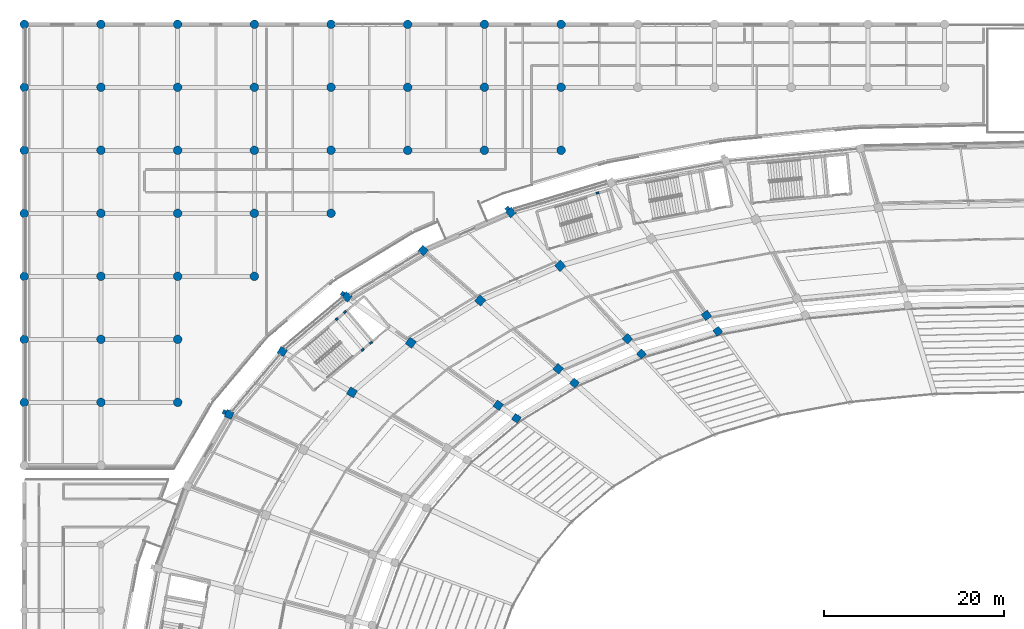
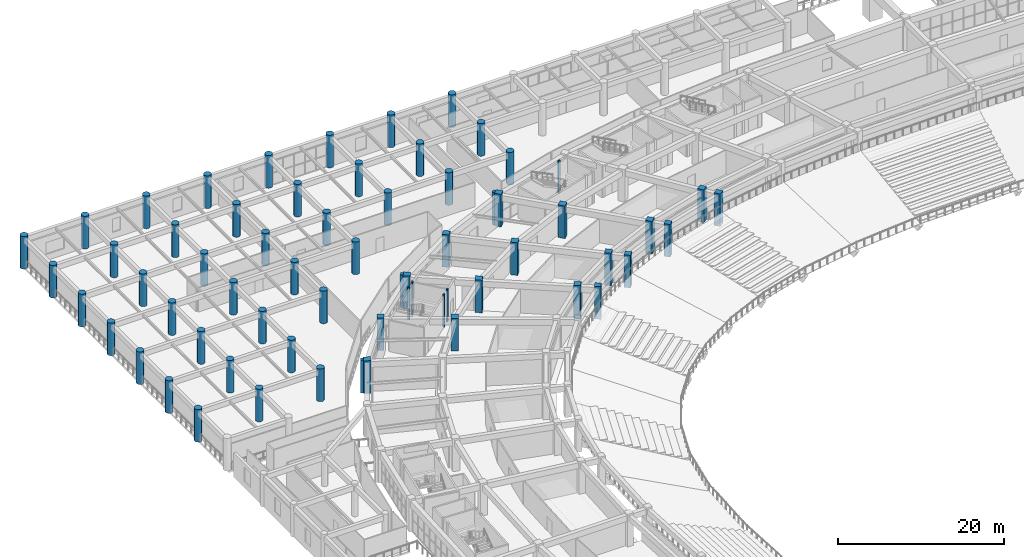
# One storey, part 7 of 152: 64 columns.
"""IFC4 building model written with IfcOpenShell, lengths in metres."""

from ifc_helpers import new_model, si_unit, direction, frame, origin, origin_2d, place, context, subcontext, project, spatial, rectangle, circle, extrude, material, material_profile, profile_set, type_object, element, save


model = new_model("IFC4")

# Units and contexts
model_context = context("Model", 3, precision=1e-05, world=origin(), true_north=direction((0.0, 1.0)))
body_context = subcontext(model_context, "Body", "Model", "MODEL_VIEW")
ifc_project = project(units=[si_unit("LENGTHUNIT", "METRE"), si_unit("AREAUNIT", "SQUARE_METRE"), si_unit("VOLUMEUNIT", "CUBIC_METRE"), si_unit("PLANEANGLEUNIT", "RADIAN"), si_unit("MASSUNIT", "GRAM", prefix="KILO")], contexts=[model_context])

# Site, building, storey
site_placement = place(None, origin())
site = spatial("IfcSite", under=ifc_project, at=site_placement, CompositionType="ELEMENT")
building_placement = place(site_placement, origin())
building = spatial("IfcBuilding", under=site, at=building_placement, Name="Mphavela Belvedere Stadium", CompositionType="ELEMENT")
storey_placement = place(building_placement, frame((0.0, 0.0, 5.39990234375)))
storey = spatial("IfcBuildingStorey", under=building, at=storey_placement, Name="L01", CompositionType="ELEMENT", Elevation=5.39990234375)

# Columns
ifc_material_1 = material(Name="Concrete C40/50", Category="concrete")
ifc_material_profile_1 = material_profile(ifc_material_1, rectangle(XDim=0.300048828125, YDim=0.219970703125, at=origin_2d()), Name="RC 300x220")
ifc_profile_set_1 = profile_set([ifc_material_profile_1], Name="Concrete C40/50")
column_type_1 = type_object("IfcColumnType", Name="COL-CORE-POST-300", PredefinedType="COLUMN", material=ifc_profile_set_1)
for number, where, z_axis, x_axis, name in (
    (1, (37.5927734375, 137.838623046875, 0.0), (0.0, 0.0, 1.0), (0.764246456939, 0.644924300253, 0.0), "Core C05 stair frame column L01-1"),
    (2, (38.510009765625, 138.612548828125, 0.0), (0.0, 0.0, 1.0), (0.764246456939, 0.644924300253, 0.0), "Core C05 stair frame column L01-2"),
    (3, (35.627197265625, 142.02880859375, 0.0), (0.0, 0.0, 1.0), (0.764246456939, 0.644924300253, 0.0), "Core C05 stair frame column L01-3"),
    (4, (34.7099609375, 141.2548828125, 0.0), (0.0, 0.0, 1.0), (0.764246456939, 0.644924300253, 0.0), "Core C05 stair frame column L01-4"),
    (5, (63.674072265625, 155.257080078125, 0.0), (0.0, 0.0, 1.0), (0.958670893355, 0.284517342588, 0.0), "Core P03 stair frame column L01-4"),
):
    element("IfcColumn", number, at=place(storey_placement, frame(where, z_axis=z_axis, x_axis=x_axis)), inside=storey, type_object=column_type_1, Name=name, PredefinedType="COLUMN", context=body_context, shape_type="SweptSolid", body=[
        extrude(rectangle(XDim=0.300048828125, YDim=0.219970703125, at=origin_2d()), origin(), (0.0, 0.0, 1.0), 4.800048828125),
    ])
ifc_material_2 = material(Name="Concrete C40/50", Category="concrete")
ifc_material_profile_2 = material_profile(ifc_material_2, circle(Radius=0.47509765625, at=origin_2d()), Name="COL D950")
ifc_profile_set_2 = profile_set([ifc_material_profile_2], Name="Concrete C40/50")
column_type_2 = type_object("IfcColumnType", Name="COL-DORIC-950", PredefinedType="COLUMN", material=ifc_profile_set_2)
for number, where, z_axis, x_axis, name in (
    (6, (0.0, 132.0, 0.0), (0.0, 0.0, 1.0), (1.0, 0.0, 0.0), "North Mast and Ceremonial End Forecourt classical column L01 1-2"),
    (7, (0.0, 139.0, 0.0), (0.0, 0.0, 1.0), (1.0, 0.0, 0.0), "North Mast and Ceremonial End Forecourt classical column L01 1-3"),
    (8, (0.0, 146.0, 0.0), (0.0, 0.0, 1.0), (1.0, 0.0, 0.0), "North Mast and Ceremonial End Forecourt classical column L01 1-4"),
    (9, (0.0, 153.0, 0.0), (0.0, 0.0, 1.0), (1.0, 0.0, 0.0), "North Mast and Ceremonial End Forecourt classical column L01 1-5"),
    (10, (0.0, 160.0, 0.0), (0.0, 0.0, 1.0), (1.0, 0.0, 0.0), "North Mast and Ceremonial End Forecourt classical column L01 1-6"),
    (11, (0.0, 167.0, 0.0), (0.0, 0.0, 1.0), (1.0, 0.0, 0.0), "North Mast and Ceremonial End Forecourt classical column L01 1-7"),
    (12, (0.0, 174.0, 0.0), (0.0, 0.0, 1.0), (1.0, 0.0, 0.0), "North Mast and Ceremonial End Forecourt classical column L01 1-8"),
    (13, (8.51904296875, 132.0, 0.0), (0.0, 0.0, 1.0), (1.0, 0.0, 0.0), "North Mast and Ceremonial End Forecourt classical column L01 2-2"),
    (14, (8.51904296875, 139.0, 0.0), (0.0, 0.0, 1.0), (1.0, 0.0, 0.0), "North Mast and Ceremonial End Forecourt classical column L01 2-3"),
    (15, (8.51904296875, 146.0, 0.0), (0.0, 0.0, 1.0), (1.0, 0.0, 0.0), "North Mast and Ceremonial End Forecourt classical column L01 2-4"),
    (16, (8.51904296875, 153.0, 0.0), (0.0, 0.0, 1.0), (1.0, 0.0, 0.0), "North Mast and Ceremonial End Forecourt classical column L01 2-5"),
    (17, (8.51904296875, 160.0, 0.0), (0.0, 0.0, 1.0), (1.0, 0.0, 0.0), "North Mast and Ceremonial End Forecourt classical column L01 2-6"),
    (18, (8.51904296875, 167.0, 0.0), (0.0, 0.0, 1.0), (1.0, 0.0, 0.0), "North Mast and Ceremonial End Forecourt classical column L01 2-7"),
    (19, (8.51904296875, 174.0, 0.0), (0.0, 0.0, 1.0), (1.0, 0.0, 0.0), "North Mast and Ceremonial End Forecourt classical column L01 2-8"),
    (20, (17.037109375, 132.0, 0.0), (0.0, 0.0, 1.0), (1.0, 0.0, 0.0), "North Mast and Ceremonial End Forecourt classical column L01 3-2"),
    (21, (17.037109375, 139.0, 0.0), (0.0, 0.0, 1.0), (1.0, 0.0, 0.0), "North Mast and Ceremonial End Forecourt classical column L01 3-3"),
    (22, (17.037109375, 146.0, 0.0), (0.0, 0.0, 1.0), (1.0, 0.0, 0.0), "North Mast and Ceremonial End Forecourt classical column L01 3-4"),
    (23, (17.037109375, 153.0, 0.0), (0.0, 0.0, 1.0), (1.0, 0.0, 0.0), "North Mast and Ceremonial End Forecourt classical column L01 3-5"),
    (24, (17.037109375, 160.0, 0.0), (0.0, 0.0, 1.0), (1.0, 0.0, 0.0), "North Mast and Ceremonial End Forecourt classical column L01 3-6"),
    (25, (17.037109375, 167.0, 0.0), (0.0, 0.0, 1.0), (1.0, 0.0, 0.0), "North Mast and Ceremonial End Forecourt classical column L01 3-7"),
    (26, (17.037109375, 174.0, 0.0), (0.0, 0.0, 1.0), (1.0, 0.0, 0.0), "North Mast and Ceremonial End Forecourt classical column L01 3-8"),
    (27, (25.555908203125, 146.0, 0.0), (0.0, 0.0, 1.0), (1.0, 0.0, 0.0), "North Mast and Ceremonial End Forecourt classical column L01 4-4"),
    (28, (25.555908203125, 153.0, 0.0), (0.0, 0.0, 1.0), (1.0, 0.0, 0.0), "North Mast and Ceremonial End Forecourt classical column L01 4-5"),
    (29, (25.555908203125, 160.0, 0.0), (0.0, 0.0, 1.0), (1.0, 0.0, 0.0), "North Mast and Ceremonial End Forecourt classical column L01 4-6"),
    (30, (25.555908203125, 167.0, 0.0), (0.0, 0.0, 1.0), (1.0, 0.0, 0.0), "North Mast and Ceremonial End Forecourt classical column L01 4-7"),
    (31, (25.555908203125, 174.0, 0.0), (0.0, 0.0, 1.0), (1.0, 0.0, 0.0), "North Mast and Ceremonial End Forecourt classical column L01 4-8"),
    (32, (34.073974609375, 153.0, 0.0), (0.0, 0.0, 1.0), (1.0, 0.0, 0.0), "North Mast and Ceremonial End Forecourt classical column L01 5-5"),
    (33, (34.073974609375, 160.0, 0.0), (0.0, 0.0, 1.0), (1.0, 0.0, 0.0), "North Mast and Ceremonial End Forecourt classical column L01 5-6"),
    (34, (34.073974609375, 167.0, 0.0), (0.0, 0.0, 1.0), (1.0, 0.0, 0.0), "North Mast and Ceremonial End Forecourt classical column L01 5-7"),
    (35, (34.073974609375, 174.0, 0.0), (0.0, 0.0, 1.0), (1.0, 0.0, 0.0), "North Mast and Ceremonial End Forecourt classical column L01 5-8"),
    (36, (42.593017578125, 160.0, 0.0), (0.0, 0.0, 1.0), (1.0, 0.0, 0.0), "North Mast and Ceremonial End Forecourt classical column L01 6-6"),
    (37, (42.593017578125, 167.0, 0.0), (0.0, 0.0, 1.0), (1.0, 0.0, 0.0), "North Mast and Ceremonial End Forecourt classical column L01 6-7"),
    (38, (42.593017578125, 174.0, 0.0), (0.0, 0.0, 1.0), (1.0, 0.0, 0.0), "North Mast and Ceremonial End Forecourt classical column L01 6-8"),
    (39, (51.111083984375, 160.0, 0.0), (0.0, 0.0, 1.0), (1.0, 0.0, 0.0), "North Mast and Ceremonial End Forecourt classical column L01 7-6"),
    (40, (51.111083984375, 167.0, 0.0), (0.0, 0.0, 1.0), (1.0, 0.0, 0.0), "North Mast and Ceremonial End Forecourt classical column L01 7-7"),
    (41, (51.111083984375, 174.0, 0.0), (0.0, 0.0, 1.0), (1.0, 0.0, 0.0), "North Mast and Ceremonial End Forecourt classical column L01 7-8"),
    (42, (59.6298828125, 160.0, 0.0), (0.0, 0.0, 1.0), (1.0, 0.0, 0.0), "North Mast and Ceremonial End Forecourt classical column L01 8-6"),
    (43, (59.6298828125, 167.0, 0.0), (0.0, 0.0, 1.0), (1.0, 0.0, 0.0), "North Mast and Ceremonial End Forecourt classical column L01 8-7"),
    (44, (59.6298828125, 174.0, 0.0), (0.0, 0.0, 1.0), (1.0, 0.0, 0.0), "North Mast and Ceremonial End Forecourt classical column L01 8-8"),
):
    element("IfcColumn", number, at=place(storey_placement, frame(where, z_axis=z_axis, x_axis=x_axis)), inside=storey, type_object=column_type_2, Name=name, PredefinedType="COLUMN", context=body_context, shape_type="SweptSolid", body=[
        extrude(circle(Radius=0.47509765625, at=origin_2d()), origin(), (0.0, 0.0, 1.0), 4.800048828125),
    ])
ifc_material_3 = material(Name="Concrete C40/50", Category="concrete")
ifc_material_profile_3 = material_profile(ifc_material_3, rectangle(XDim=0.800048828125, YDim=0.800048828125, at=origin_2d()), Name="RC 800x800")
ifc_profile_set_3 = profile_set([ifc_material_profile_3], Name="Concrete C40/50")
column_type_3 = type_object("IfcColumnType", Name="COL-RC800", PredefinedType="COLUMN", material=ifc_profile_set_3)
for number, where, z_axis, x_axis, name in (
    (45, (77.038330078125, 139.898681640625, 0.0), (0.0, 0.0, 1.0), (-0.582974127943, 0.812490717577, 0.0), "Inner concourse column L01 R1-16"),
    (46, (68.549560546875, 137.37890625, 0.0), (0.0, 0.0, 1.0), (-0.677903094969, 0.735151272753, 0.0), "Inner concourse column L01 R1-17"),
    (47, (61.11083984375, 134.154296875, 0.0), (0.0, 0.0, 1.0), (-0.752529860433, 0.658558128912, 0.0), "Inner concourse column L01 R1-18"),
    (48, (54.66259765625, 130.2314453125, 0.0), (0.0, 0.0, 1.0), (-0.812897512265, 0.582406760395, 0.0), "Inner concourse column L01 R1-19"),
):
    element("IfcColumn", number, at=place(storey_placement, frame(where, z_axis=z_axis, x_axis=x_axis)), inside=storey, type_object=column_type_3, Name=name, PredefinedType="COLUMN", context=body_context, shape_type="SweptSolid", body=[
        extrude(rectangle(XDim=0.800048828125, YDim=0.800048828125, at=origin_2d()), origin(), (0.0, 0.0, 1.0), 4.800048828125),
    ])
ifc_material_4 = material(Name="Concrete C40/50", Category="concrete")
ifc_material_profile_4 = material_profile(ifc_material_4, rectangle(XDim=0.85009765625, YDim=0.85009765625, at=origin_2d()), Name="RC 850x850")
ifc_profile_set_4 = profile_set([ifc_material_profile_4], Name="Concrete C40/50")
column_type_4 = type_object("IfcColumnType", Name="COL-RC850", PredefinedType="COLUMN", material=ifc_profile_set_4)
for number, where, z_axis, x_axis, name in (
    (49, (75.769775390625, 141.66650390625, 0.0), (0.0, 0.0, 1.0), (-0.582974127943, 0.812490717577, 0.0), "Middle concourse column L01 R2-16"),
    (50, (66.997314453125, 139.0625, 0.0), (0.0, 0.0, 1.0), (-0.677903094969, 0.735151272753, 0.0), "Middle concourse column L01 R2-17"),
    (51, (54.0625, 153.09130859375, 0.0), (0.0, 0.0, 1.0), (-0.677903094969, 0.735151272753, 0.0), "Outer colonnade column L01 R4-17"),
    (52, (59.31005859375, 135.72998046875, 0.0), (0.0, 0.0, 1.0), (-0.752529860433, 0.658558128912, 0.0), "Middle concourse column L01 R2-18"),
    (53, (44.3037109375, 148.86083984375, 0.0), (0.0, 0.0, 1.0), (-0.752529860433, 0.658558128912, 0.0), "Outer colonnade column L01 R4-18"),
    (54, (52.646240234375, 131.676025390625, 0.0), (0.0, 0.0, 1.0), (-0.812897512265, 0.582406760395, 0.0), "Middle concourse column L01 R2-19"),
    (55, (35.844482421875, 143.714599609375, 0.0), (0.0, 0.0, 1.0), (-0.812897512265, 0.582406760395, 0.0), "Outer colonnade column L01 R4-19"),
    (56, (28.66162109375, 137.653564453125, 0.0), (0.0, 0.0, 1.0), (-0.862513669207, 0.506033764121, 0.0), "Outer colonnade column L01 R4-20"),
    (57, (22.757568359375, 130.66162109375, 0.0), (0.0, 0.0, 1.0), (-0.903858661687, 0.4278311813, 0.0), "Outer colonnade column L01 R4-21"),
):
    element("IfcColumn", number, at=place(storey_placement, frame(where, z_axis=z_axis, x_axis=x_axis)), inside=storey, type_object=column_type_4, Name=name, PredefinedType="COLUMN", context=body_context, shape_type="SweptSolid", body=[
        extrude(rectangle(XDim=0.85009765625, YDim=0.85009765625, at=origin_2d()), origin(), (0.0, 0.0, 1.0), 4.800048828125),
    ])
ifc_material_5 = material(Name="Concrete C40/50", Category="concrete")
ifc_material_profile_5 = material_profile(ifc_material_5, rectangle(XDim=0.89990234375, YDim=0.89990234375, at=origin_2d()), Name="RC 900x900")
ifc_profile_set_5 = profile_set([ifc_material_profile_5], Name="Concrete C40/50")
column_type_5 = type_object("IfcColumnType", Name="COL-RC900", PredefinedType="COLUMN", material=ifc_profile_set_5)
for number, where, z_axis, x_axis, name in (
    (58, (59.523681640625, 147.16796875, 0.0), (0.0, 0.0, 1.0), (-0.677903094969, 0.735151272753, 0.0), "Main bowl column L01 R3-17"),
    (59, (50.639892578125, 143.31689453125, 0.0), (0.0, 0.0, 1.0), (-0.752529860433, 0.658558128912, 0.0), "Main bowl column L01 R3-18"),
    (60, (42.938720703125, 138.631591796875, 0.0), (0.0, 0.0, 1.0), (-0.812897512265, 0.582406760395, 0.0), "Main bowl column L01 R3-19"),
    (61, (36.399658203125, 133.11376953125, 0.0), (0.0, 0.0, 1.0), (-0.862513669207, 0.506033764121, 0.0), "Main bowl column L01 R3-20"),
):
    element("IfcColumn", number, at=place(storey_placement, frame(where, z_axis=z_axis, x_axis=x_axis)), inside=storey, type_object=column_type_5, Name=name, PredefinedType="COLUMN", context=body_context, shape_type="SweptSolid", body=[
        extrude(rectangle(XDim=0.89990234375, YDim=0.89990234375, at=origin_2d()), origin(), (0.0, 0.0, 1.0), 4.800048828125),
    ])
ifc_material_6 = material(Name="Concrete C40/50", Category="concrete")
ifc_material_profile_6 = material_profile(ifc_material_6, rectangle(XDim=0.5, YDim=0.35009765625, at=origin_2d()), Name="PIL 500x350")
ifc_profile_set_6 = profile_set([ifc_material_profile_6], Name="Concrete C40/50")
column_type_6 = type_object("IfcColumnType", Name="PIL-FLUTED-500", PredefinedType="PILASTER", material=ifc_profile_set_6)
for number, where, z_axis, x_axis, name in (
    (62, (53.653564453125, 153.53466796875, 0.0), (0.0, 0.0, 1.0), (-0.735151272753, -0.677903094969, 0.0), "Fluted classical pilaster L01-17"),
    (63, (35.354248046875, 144.065673828125, 0.0), (0.0, 0.0, 1.0), (-0.582406760395, -0.812897512265, 0.0), "Fluted classical pilaster L01-19"),
    (64, (22.21240234375, 130.91943359375, 0.0), (0.0, 0.0, 1.0), (-0.4278311813, -0.903858661687, 0.0), "Fluted classical pilaster L01-21"),
):
    element("IfcColumn", number, at=place(storey_placement, frame(where, z_axis=z_axis, x_axis=x_axis)), inside=storey, type_object=column_type_6, Name=name, PredefinedType="PILASTER", context=body_context, shape_type="SweptSolid", body=[
        extrude(rectangle(XDim=0.5, YDim=0.35009765625, at=origin_2d()), origin(), (0.0, 0.0, 1.0), 4.800048828125),
    ])

save(model, "model.ifc")
